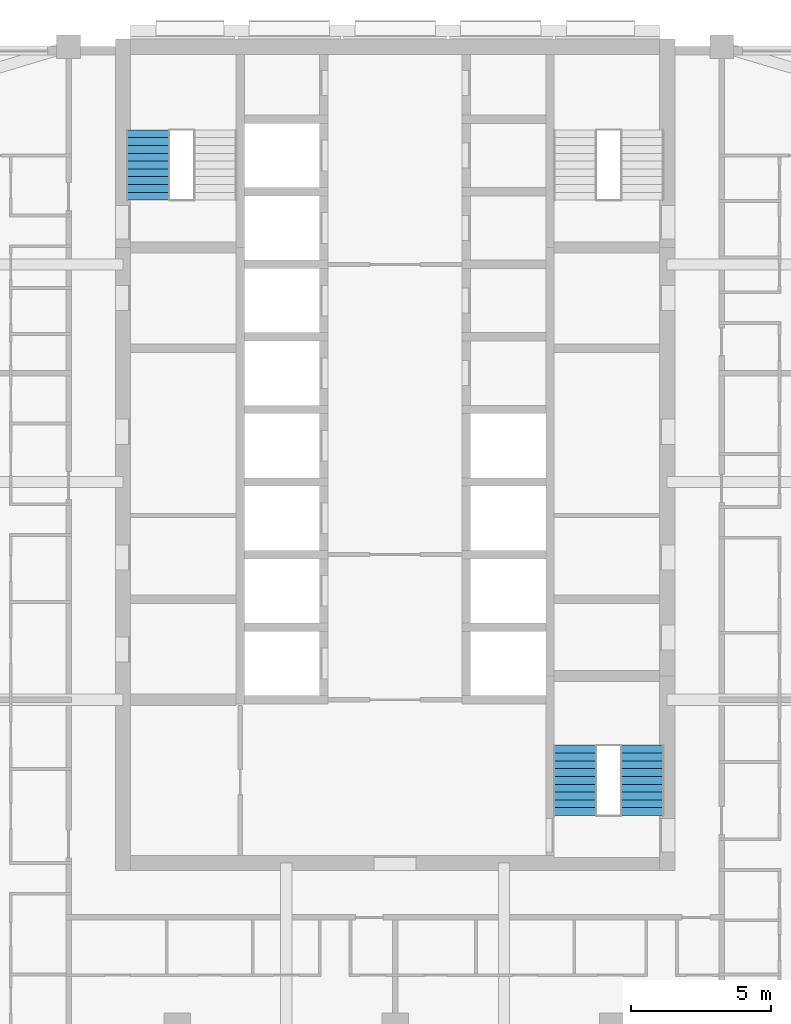
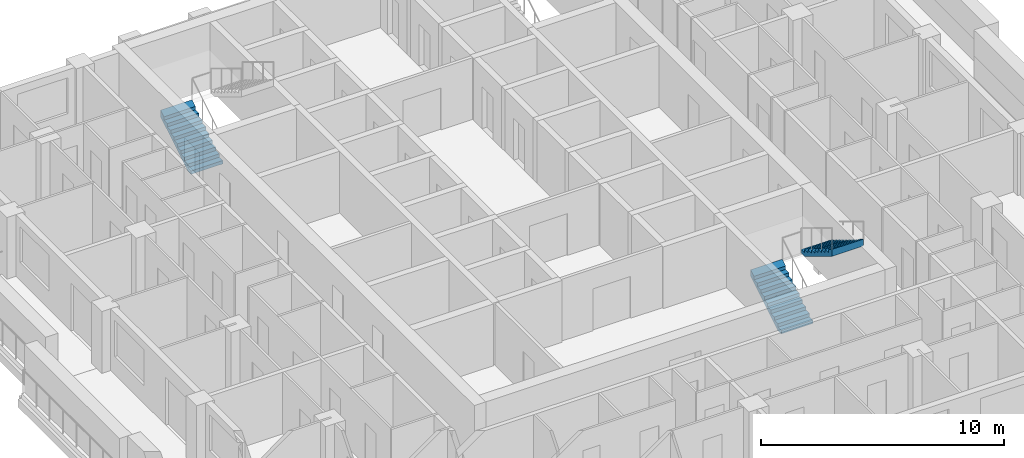
# One storey, part 11 of 14: 3 stair flights, 2 elements without a shape of their own.
"""IFC4 building model written with IfcOpenShell, lengths in metres."""

import ifcopenshell
import ifcopenshell.guid

model = None  # the IFC model being written
_history = None  # IfcOwnerHistory: only IFC2X3 demands one
_inside = {}  # id of a spatial element -> (the spatial element, [elements in it])
_under = {}  # id of a project, library or spatial element -> (it, [spatial elements below it])
_declared = {}  # id of a project -> (the project, [libraries it declares])
_typed = {}  # id of a type object -> (the type object, [elements of that type])
_made_of = {}  # id of a material, layer set ... -> (it, [elements and type objects made of it])


def new_model(schema):
    """Start an empty IFC model of exactly this schema.

    Asked for "IFC4X3", IfcOpenShell would pick the latest addendum, in which some entities
    have other attributes; the version numbers below select the first issue.
    IFC2X3 requires an IfcOwnerHistory on every rooted entity: one is made here for all.
    """
    global model, _history
    if schema == "IFC4X3":
        model = ifcopenshell.file(schema_version=(4, 3, 0, 0))
    else:
        model = ifcopenshell.file(schema=schema)
    _inside.clear()
    _under.clear()
    _declared.clear()
    _typed.clear()
    _made_of.clear()
    _history = None
    if model.schema == "IFC2X3":
        org = make("IfcOrganization", Name="unknown")
        user = make(
            "IfcPersonAndOrganization",
            ThePerson=make("IfcPerson", FamilyName="unknown"),
            TheOrganization=org,
        )
        app = make(
            "IfcApplication",
            ApplicationDeveloper=org,
            Version="unknown",
            ApplicationFullName="unknown",
            ApplicationIdentifier="unknown",
        )
        _history = make(
            "IfcOwnerHistory",
            OwningUser=user,
            OwningApplication=app,
            ChangeAction="ADDED",
            CreationDate=0,
        )
    return model


def make(cls, **values):
    """One entity of the class cls with the attributes given. An attribute that is None is left unset."""
    return model.create_entity(
        cls, **{name: value for name, value in values.items() if value is not None}
    )


def rooted(cls, **values):
    """An entity with a GlobalId (a new one), such as an element, a storey or a relation."""
    return make(cls, GlobalId=ifcopenshell.guid.new(), OwnerHistory=_history, **values)


def si_unit(unit_type, name, prefix=None):
    """IfcSIUnit, for example si_unit("LENGTHUNIT", "METRE", prefix="MILLI")."""
    return make("IfcSIUnit", UnitType=unit_type, Prefix=prefix, Name=name)


def assignment(units):
    """IfcUnitAssignment: the units of a project."""
    return None if units is None else make("IfcUnitAssignment", Units=units)


def point(xyz):
    """IfcCartesianPoint."""
    return None if xyz is None else make("IfcCartesianPoint", Coordinates=xyz)


def direction(xyz):
    """IfcDirection."""
    return None if xyz is None else make("IfcDirection", DirectionRatios=xyz)


def frame(location, z_axis=None, x_axis=None):
    """IfcAxis2Placement3D, a coordinate frame: its origin and axes. An axis left out is left unset."""
    return make(
        "IfcAxis2Placement3D",
        Location=point(location),
        Axis=direction(z_axis),
        RefDirection=direction(x_axis),
    )


def origin():
    """The frame at (0, 0, 0) with its axes left unset."""
    return frame((0.0, 0.0, 0.0))


def place(relative_to, where):
    """IfcLocalPlacement: puts the frame where relative to a parent placement (None: the world)."""
    return make(
        "IfcLocalPlacement", PlacementRelTo=relative_to, RelativePlacement=where
    )


def context(
    kind, dimensions, precision=None, world=None, true_north=None, identifier=None
):
    """IfcGeometricRepresentationContext, for example the 3D "Model" context."""
    return make(
        "IfcGeometricRepresentationContext",
        ContextIdentifier=identifier,
        ContextType=kind,
        CoordinateSpaceDimension=dimensions,
        Precision=precision,
        WorldCoordinateSystem=world,
        TrueNorth=true_north,
    )


def subcontext(parent, identifier, kind, view, scale=None):
    """IfcGeometricRepresentationSubContext, for example "Body" below "Model"."""
    return make(
        "IfcGeometricRepresentationSubContext",
        ContextIdentifier=identifier,
        ContextType=kind,
        ParentContext=parent,
        TargetScale=scale,
        TargetView=view,
    )


def project(units=None, contexts=None):
    """IfcProject with its units and contexts."""
    return rooted(
        "IfcProject",
        Name="project",
        RepresentationContexts=contexts,
        UnitsInContext=assignment(units),
    )


def spatial(cls, under=None, at=None, **own):
    """A site, building, storey or space (cls), placed at a placement, below another one or the project."""
    s = rooted(cls, ObjectPlacement=at, **own)
    if under is not None:
        _under.setdefault(under.id(), (under, []))[1].append(s)
    return s


def point_list(points):
    """IfcCartesianPointList2D or 3D."""
    cls = (
        "IfcCartesianPointList2D" if len(points[0]) == 2 else "IfcCartesianPointList3D"
    )
    return make(cls, CoordList=points)


def triangles(points, corners, closed=None, point_numbers=None):
    """IfcTriangulatedFaceSet: each triangle names its three corners, points numbered from 1."""
    return make(
        "IfcTriangulatedFaceSet",
        Coordinates=point_list(points),
        Closed=closed,
        CoordIndex=corners,
        PnIndex=point_numbers,
    )


def shape(context_of_items, identifier, shape_type, items):
    """IfcShapeRepresentation: the items that make up one representation, for example the "Body"."""
    return make(
        "IfcShapeRepresentation",
        ContextOfItems=context_of_items,
        RepresentationIdentifier=identifier,
        RepresentationType=shape_type,
        Items=items,
    )


def material(Name=None, Category=None):
    """IfcMaterial."""
    return make("IfcMaterial", Name=Name, Category=Category)


def made_of(thing, what):
    """Note that an element or type object is made of a material, layer set ...; save() writes the relation."""
    if what is not None:
        _made_of.setdefault(what.id(), (what, []))[1].append(thing)
    return thing


def type_object(cls, material=None, **own):
    """A type object (cls), such as IfcWallType, which elements share."""
    return made_of(rooted(cls, **own), material)


def element(
    cls,
    number,
    at=None,
    inside=None,
    cuts=None,
    type_object=None,
    material=None,
    context=None,
    identifier="Body",
    shape_type=None,
    held_by="IfcProductDefinitionShape",
    body=None,
    shapes=None,
    **own,
):
    """One element of the class cls, such as IfcWall. Its Tag is "e" and its number.

    at: its placement. inside: the storey or other place that contains it. cuts: it is an
    opening in that element (IfcRelVoidsElement). A single representation is given by context,
    identifier, shape_type and body (its items); several are given by shapes. held_by: the class
    of the entity that holds the representations. save() writes the other relations.
    """
    e = rooted(cls, Tag="e%d" % number, ObjectPlacement=at, **own)
    if body is not None:
        shapes = [shape(context, identifier, shape_type, body)]
    if shapes is not None:
        e.Representation = make(held_by, Representations=shapes)
    if inside is not None:
        _inside.setdefault(inside.id(), (inside, []))[1].append(e)
    if cuts is not None:
        rooted(
            "IfcRelVoidsElement", RelatingBuildingElement=cuts, RelatedOpeningElement=e
        )
    if type_object is not None:
        _typed.setdefault(type_object.id(), (type_object, []))[1].append(e)
    return made_of(e, material)


def aggregate(whole, parts):
    """IfcRelAggregates: a whole, such as a stair, and the parts it consists of."""
    return rooted("IfcRelAggregates", RelatingObject=whole, RelatedObjects=parts)


def save(model, path):
    """Write the relations noted so far, then the file.

    IfcRelAggregates (storeys below a building ...), IfcRelContainedInSpatialStructure (elements
    in a storey), IfcRelDefinesByType, IfcRelAssociatesMaterial and IfcRelDeclares: one each for
    every whole, place, type object, material and project.
    """
    for whole, parts in _under.values():
        aggregate(whole, parts)
    for where, things in _inside.values():
        rooted(
            "IfcRelContainedInSpatialStructure",
            RelatedElements=things,
            RelatingStructure=where,
        )
    for kind, things in _typed.values():
        rooted("IfcRelDefinesByType", RelatedObjects=things, RelatingType=kind)
    for what, things in _made_of.values():
        rooted("IfcRelAssociatesMaterial", RelatedObjects=things, RelatingMaterial=what)
    for by, libraries in _declared.values():
        rooted("IfcRelDeclares", RelatingContext=by, RelatedDefinitions=libraries)
    model.write(path)


model = new_model("IFC4")

# Units and contexts
model_context = context("Model", 3, precision=1e-05, world=origin(), true_north=direction((0.0, 1.0)))
body_context = subcontext(model_context, "Body", "Model", "MODEL_VIEW")
ifc_project = project(units=[si_unit("LENGTHUNIT", "METRE"), si_unit("AREAUNIT", "SQUARE_METRE"), si_unit("VOLUMEUNIT", "CUBIC_METRE"), si_unit("PLANEANGLEUNIT", "RADIAN"), si_unit("MASSUNIT", "GRAM", prefix="KILO")], contexts=[model_context])

# Site, building, storey
site_placement = place(None, origin())
site = spatial("IfcSite", under=ifc_project, at=site_placement, CompositionType="ELEMENT")
building_placement = place(site_placement, origin())
building = spatial("IfcBuilding", under=site, at=building_placement, Name="Ludao Terraces", CompositionType="ELEMENT")
storey_placement = place(building_placement, frame((0.0, 0.0, 113.5)))
storey = spatial("IfcBuildingStorey", under=building, at=storey_placement, Name="L31", CompositionType="ELEMENT", Elevation=113.5)

# Stair, stair flight
ifc_material = material(Name="Concrete C40", Category="concrete")
stair_type = type_object("IfcStairType", Name="INT Stair", PredefinedType="HALF_TURN_STAIR", material=ifc_material)
stair_1_placement = place(storey_placement, origin())
stair_1 = element("IfcStair", 1, at=stair_1_placement, inside=storey, type_object=stair_type, Name="EXIT STAIR 1", PredefinedType="HALF_TURN_STAIR")
stair_flight_type = type_object("IfcStairFlightType", Name="INT Stair flight", PredefinedType="STRAIGHT", material=ifc_material)
stair_flight_1_placement = place(storey_placement, frame((76.14990234375, 79.0, 0.0), z_axis=(0.0, 0.0, 1.0), x_axis=(0.0, 1.0, 0.0)))
stair_flight_1 = element("IfcStairFlight", 2, at=stair_flight_1_placement, type_object=stair_flight_type, Name="ST1 flight 1", NumberOfRisers=10, NumberOfTreads=9, PredefinedType="STRAIGHT", RiserHeight=0.17, TreadLength=0.28, context=body_context, shape_type="Tessellation", body=[
    triangles([(0.0, -0.75, 0.0), (0.0, -0.5, 0.0), (0.0, -0.25, 0.0), (0.0, 0.0, 0.0), (0.0, 0.25, 0.0), (0.0, 0.5, 0.0), (0.0, 0.75, 0.0), (0.0, -0.75, 0.169921875), (0.0, -0.5, 0.169921875), (0.0, -0.25, 0.169921875), (0.0, 0.0, 0.169921875), (0.0, 0.25, 0.169921875), (0.0, 0.5, 0.169921875), (0.0, 0.75, 0.169921875), (0.280029296875, -0.75, 0.169921875), (0.280029296875, -0.5, 0.169921875), (0.280029296875, -0.25, 0.169921875), (0.280029296875, 0.0, 0.169921875), (0.280029296875, 0.25, 0.169921875), (0.280029296875, 0.5, 0.169921875), (0.280029296875, 0.75, 0.169921875), (0.280029296875, -0.75, 0.340087890625), (0.280029296875, -0.5, 0.340087890625), (0.280029296875, -0.25, 0.340087890625), (0.280029296875, 0.0, 0.340087890625), (0.280029296875, 0.25, 0.340087890625), (0.280029296875, 0.5, 0.340087890625), (0.280029296875, 0.75, 0.340087890625), (0.56005859375, -0.75, 0.340087890625), (0.56005859375, -0.5, 0.340087890625), (0.56005859375, -0.25, 0.340087890625), (0.56005859375, 0.0, 0.340087890625), (0.56005859375, 0.25, 0.340087890625), (0.56005859375, 0.5, 0.340087890625), (0.56005859375, 0.75, 0.340087890625), (0.56005859375, -0.75, 0.510009765625), (0.56005859375, -0.5, 0.510009765625), (0.56005859375, -0.25, 0.510009765625), (0.56005859375, 0.0, 0.510009765625), (0.56005859375, 0.25, 0.510009765625), (0.56005859375, 0.5, 0.510009765625), (0.56005859375, 0.75, 0.510009765625), (0.840087890625, -0.75, 0.510009765625), (0.840087890625, -0.5, 0.510009765625), (0.840087890625, -0.25, 0.510009765625), (0.840087890625, 0.0, 0.510009765625), (0.840087890625, 0.25, 0.510009765625), (0.840087890625, 0.5, 0.510009765625), (0.840087890625, 0.75, 0.510009765625), (0.840087890625, -0.75, 0.679931640625), (0.840087890625, -0.5, 0.679931640625), (0.840087890625, -0.25, 0.679931640625), (0.840087890625, 0.0, 0.679931640625), (0.840087890625, 0.25, 0.679931640625), (0.840087890625, 0.5, 0.679931640625), (0.840087890625, 0.75, 0.679931640625), (1.1201171875, -0.75, 0.679931640625), (1.1201171875, -0.5, 0.679931640625), (1.1201171875, -0.25, 0.679931640625), (1.1201171875, 0.0, 0.679931640625), (1.1201171875, 0.25, 0.679931640625), (1.1201171875, 0.5, 0.679931640625), (1.1201171875, 0.75, 0.679931640625), (1.1201171875, -0.75, 0.85009765625), (1.1201171875, -0.5, 0.85009765625), (1.1201171875, -0.25, 0.85009765625), (1.1201171875, 0.0, 0.85009765625), (1.1201171875, 0.25, 0.85009765625), (1.1201171875, 0.5, 0.85009765625), (1.1201171875, 0.75, 0.85009765625), (1.39990234375, -0.75, 0.85009765625), (1.39990234375, -0.5, 0.85009765625), (1.39990234375, -0.25, 0.85009765625), (1.39990234375, 0.0, 0.85009765625), (1.39990234375, 0.25, 0.85009765625), (1.39990234375, 0.5, 0.85009765625), (1.39990234375, 0.75, 0.85009765625), (1.39990234375, -0.75, 1.02001953125), (1.39990234375, -0.5, 1.02001953125), (1.39990234375, -0.25, 1.02001953125), (1.39990234375, 0.0, 1.02001953125), (1.39990234375, 0.25, 1.02001953125), (1.39990234375, 0.5, 1.02001953125), (1.39990234375, 0.75, 1.02001953125), (1.679931640625, -0.75, 1.02001953125), (1.679931640625, -0.5, 1.02001953125), (1.679931640625, -0.25, 1.02001953125), (1.679931640625, 0.0, 1.02001953125), (1.679931640625, 0.25, 1.02001953125), (1.679931640625, 0.5, 1.02001953125), (1.679931640625, 0.75, 1.02001953125), (1.679931640625, -0.75, 1.18994140625), (1.679931640625, -0.5, 1.18994140625), (1.679931640625, -0.25, 1.18994140625), (1.679931640625, 0.0, 1.18994140625), (1.679931640625, 0.25, 1.18994140625), (1.679931640625, 0.5, 1.18994140625), (1.679931640625, 0.75, 1.18994140625), (1.9599609375, -0.75, 1.18994140625), (1.9599609375, -0.5, 1.18994140625), (1.9599609375, -0.25, 1.18994140625), (1.9599609375, 0.0, 1.18994140625), (1.9599609375, 0.25, 1.18994140625), (1.9599609375, 0.5, 1.18994140625), (1.9599609375, 0.75, 1.18994140625), (1.9599609375, -0.75, 1.360107421875), (1.9599609375, -0.5, 1.360107421875), (1.9599609375, -0.25, 1.360107421875), (1.9599609375, 0.0, 1.360107421875), (1.9599609375, 0.25, 1.360107421875), (1.9599609375, 0.5, 1.360107421875), (1.9599609375, 0.75, 1.360107421875), (2.239990234375, -0.75, 1.360107421875), (2.239990234375, -0.5, 1.360107421875), (2.239990234375, -0.25, 1.360107421875), (2.239990234375, 0.0, 1.360107421875), (2.239990234375, 0.25, 1.360107421875), (2.239990234375, 0.5, 1.360107421875), (2.239990234375, 0.75, 1.360107421875), (2.239990234375, -0.75, 1.530029296875), (2.239990234375, -0.5, 1.530029296875), (2.239990234375, -0.25, 1.530029296875), (2.239990234375, 0.0, 1.530029296875), (2.239990234375, 0.25, 1.530029296875), (2.239990234375, 0.5, 1.530029296875), (2.239990234375, 0.75, 1.530029296875), (2.52001953125, -0.75, 1.699951171875), (2.52001953125, -0.5, 1.699951171875), (2.52001953125, -0.25, 1.699951171875), (2.52001953125, 0.0, 1.699951171875), (2.52001953125, 0.25, 1.699951171875), (2.52001953125, 0.5, 1.699951171875), (2.52001953125, 0.75, 1.699951171875), (2.52001953125, -0.75, 1.354736328125), (2.52001953125, -0.5, 1.354736328125), (2.52001953125, -0.25, 1.354736328125), (2.52001953125, 0.0, 1.354736328125), (2.52001953125, 0.25, 1.354736328125), (2.52001953125, 0.5, 1.354736328125), (2.52001953125, 0.75, 1.354736328125), (0.288818359375, -0.75, 0.0), (0.288818359375, -0.5, 0.0), (0.288818359375, -0.25, 0.0), (0.288818359375, 0.0, 0.0), (0.288818359375, 0.25, 0.0), (0.288818359375, 0.5, 0.0), (0.288818359375, 0.75, 0.0)], [[1, 141, 134], [7, 140, 147], [134, 127, 120], [140, 126, 133], [134, 120, 113], [140, 119, 126], [134, 113, 106], [140, 112, 119], [134, 106, 99], [140, 105, 112], [99, 92, 85], [105, 91, 98], [134, 99, 85], [140, 91, 105], [85, 78, 71], [91, 77, 84], [134, 85, 71], [140, 77, 91], [71, 64, 57], [77, 63, 70], [134, 71, 57], [140, 63, 77], [57, 50, 43], [63, 49, 56], [134, 57, 43], [140, 49, 63], [43, 36, 29], [49, 35, 42], [134, 43, 29], [140, 35, 49], [29, 22, 15], [35, 21, 28], [134, 29, 15], [140, 21, 35], [1, 134, 15], [7, 21, 140], [15, 8, 1], [21, 7, 14], [1, 9, 2], [1, 8, 9], [2, 10, 3], [2, 9, 10], [3, 11, 4], [3, 10, 11], [4, 12, 5], [4, 11, 12], [5, 13, 6], [5, 12, 13], [6, 14, 7], [6, 13, 14], [8, 16, 9], [8, 15, 16], [9, 17, 10], [9, 16, 17], [10, 18, 11], [10, 17, 18], [11, 19, 12], [11, 18, 19], [12, 20, 13], [12, 19, 20], [13, 21, 14], [13, 20, 21], [15, 23, 16], [15, 22, 23], [16, 24, 17], [16, 23, 24], [17, 25, 18], [17, 24, 25], [18, 26, 19], [18, 25, 26], [19, 27, 20], [19, 26, 27], [20, 28, 21], [20, 27, 28], [22, 30, 23], [22, 29, 30], [23, 31, 24], [23, 30, 31], [24, 32, 25], [24, 31, 32], [25, 33, 26], [25, 32, 33], [26, 34, 27], [26, 33, 34], [27, 35, 28], [27, 34, 35], [29, 37, 30], [29, 36, 37], [30, 38, 31], [30, 37, 38], [31, 39, 32], [31, 38, 39], [32, 40, 33], [32, 39, 40], [33, 41, 34], [33, 40, 41], [34, 42, 35], [34, 41, 42], [36, 44, 37], [36, 43, 44], [37, 45, 38], [37, 44, 45], [38, 46, 39], [38, 45, 46], [39, 47, 40], [39, 46, 47], [40, 48, 41], [40, 47, 48], [41, 49, 42], [41, 48, 49], [43, 51, 44], [43, 50, 51], [44, 52, 45], [44, 51, 52], [45, 53, 46], [45, 52, 53], [46, 54, 47], [46, 53, 54], [47, 55, 48], [47, 54, 55], [48, 56, 49], [48, 55, 56], [50, 58, 51], [50, 57, 58], [51, 59, 52], [51, 58, 59], [52, 60, 53], [52, 59, 60], [53, 61, 54], [53, 60, 61], [54, 62, 55], [54, 61, 62], [55, 63, 56], [55, 62, 63], [57, 65, 58], [57, 64, 65], [58, 66, 59], [58, 65, 66], [59, 67, 60], [59, 66, 67], [60, 68, 61], [60, 67, 68], [61, 69, 62], [61, 68, 69], [62, 70, 63], [62, 69, 70], [64, 72, 65], [64, 71, 72], [65, 73, 66], [65, 72, 73], [66, 74, 67], [66, 73, 74], [67, 75, 68], [67, 74, 75], [68, 76, 69], [68, 75, 76], [69, 77, 70], [69, 76, 77], [71, 79, 72], [71, 78, 79], [72, 80, 73], [72, 79, 80], [73, 81, 74], [73, 80, 81], [74, 82, 75], [74, 81, 82], [75, 83, 76], [75, 82, 83], [76, 84, 77], [76, 83, 84], [78, 86, 79], [78, 85, 86], [79, 87, 80], [79, 86, 87], [80, 88, 81], [80, 87, 88], [81, 89, 82], [81, 88, 89], [82, 90, 83], [82, 89, 90], [83, 91, 84], [83, 90, 91], [85, 93, 86], [85, 92, 93], [86, 94, 87], [86, 93, 94], [87, 95, 88], [87, 94, 95], [88, 96, 89], [88, 95, 96], [89, 97, 90], [89, 96, 97], [90, 98, 91], [90, 97, 98], [92, 100, 93], [92, 99, 100], [93, 101, 94], [93, 100, 101], [94, 102, 95], [94, 101, 102], [95, 103, 96], [95, 102, 103], [96, 104, 97], [96, 103, 104], [97, 105, 98], [97, 104, 105], [99, 107, 100], [99, 106, 107], [100, 108, 101], [100, 107, 108], [101, 109, 102], [101, 108, 109], [102, 110, 103], [102, 109, 110], [103, 111, 104], [103, 110, 111], [104, 112, 105], [104, 111, 112], [106, 114, 107], [106, 113, 114], [107, 115, 108], [107, 114, 115], [108, 116, 109], [108, 115, 116], [109, 117, 110], [109, 116, 117], [110, 118, 111], [110, 117, 118], [111, 119, 112], [111, 118, 119], [113, 121, 114], [113, 120, 121], [114, 122, 115], [114, 121, 122], [115, 123, 116], [115, 122, 123], [116, 124, 117], [116, 123, 124], [117, 125, 118], [117, 124, 125], [118, 126, 119], [118, 125, 126], [120, 128, 121], [120, 127, 128], [121, 129, 122], [121, 128, 129], [122, 130, 123], [122, 129, 130], [123, 131, 124], [123, 130, 131], [124, 132, 125], [124, 131, 132], [125, 133, 126], [125, 132, 133], [127, 135, 128], [127, 134, 135], [128, 136, 129], [128, 135, 136], [129, 137, 130], [129, 136, 137], [130, 138, 131], [130, 137, 138], [131, 139, 132], [131, 138, 139], [132, 140, 133], [132, 139, 140], [134, 142, 135], [134, 141, 142], [135, 143, 136], [135, 142, 143], [136, 144, 137], [136, 143, 144], [137, 145, 138], [137, 144, 145], [138, 146, 139], [138, 145, 146], [139, 147, 140], [139, 146, 147], [141, 2, 142], [141, 1, 2], [142, 3, 143], [142, 2, 3], [143, 4, 144], [143, 3, 4], [144, 5, 145], [144, 4, 5], [145, 6, 146], [145, 5, 6], [146, 7, 147], [146, 6, 7]], closed=True),
])
aggregate(stair_1, [stair_flight_1])

# Stair, stair flights
stair_2_placement = place(storey_placement, origin())
stair_2 = element("IfcStair", 3, at=stair_2_placement, inside=storey, type_object=stair_type, Name="EXIT STAIR 3", PredefinedType="HALF_TURN_STAIR")
stair_flight_2_placement = place(storey_placement, frame((91.449951171875, 56.949951171875, 0.0), z_axis=(0.0, 0.0, 1.0), x_axis=(0.0, 1.0, 0.0)))
stair_flight_2 = element("IfcStairFlight", 4, at=stair_flight_2_placement, type_object=stair_flight_type, Name="ST3 flight 1", NumberOfRisers=10, NumberOfTreads=9, PredefinedType="STRAIGHT", RiserHeight=0.17, TreadLength=0.28, context=body_context, shape_type="Tessellation", body=[
    triangles([(0.0, -0.75, 0.0), (0.0, -0.5, 0.0), (0.0, -0.25, 0.0), (0.0, 0.0, 0.0), (0.0, 0.25, 0.0), (0.0, 0.5, 0.0), (0.0, 0.75, 0.0), (0.0, -0.75, 0.169921875), (0.0, -0.5, 0.169921875), (0.0, -0.25, 0.169921875), (0.0, 0.0, 0.169921875), (0.0, 0.25, 0.169921875), (0.0, 0.5, 0.169921875), (0.0, 0.75, 0.169921875), (0.280029296875, -0.75, 0.169921875), (0.280029296875, -0.5, 0.169921875), (0.280029296875, -0.25, 0.169921875), (0.280029296875, 0.0, 0.169921875), (0.280029296875, 0.25, 0.169921875), (0.280029296875, 0.5, 0.169921875), (0.280029296875, 0.75, 0.169921875), (0.280029296875, -0.75, 0.340087890625), (0.280029296875, -0.5, 0.340087890625), (0.280029296875, -0.25, 0.340087890625), (0.280029296875, 0.0, 0.340087890625), (0.280029296875, 0.25, 0.340087890625), (0.280029296875, 0.5, 0.340087890625), (0.280029296875, 0.75, 0.340087890625), (0.56005859375, -0.75, 0.340087890625), (0.56005859375, -0.5, 0.340087890625), (0.56005859375, -0.25, 0.340087890625), (0.56005859375, 0.0, 0.340087890625), (0.56005859375, 0.25, 0.340087890625), (0.56005859375, 0.5, 0.340087890625), (0.56005859375, 0.75, 0.340087890625), (0.56005859375, -0.75, 0.510009765625), (0.56005859375, -0.5, 0.510009765625), (0.56005859375, -0.25, 0.510009765625), (0.56005859375, 0.0, 0.510009765625), (0.56005859375, 0.25, 0.510009765625), (0.56005859375, 0.5, 0.510009765625), (0.56005859375, 0.75, 0.510009765625), (0.840087890625, -0.75, 0.510009765625), (0.840087890625, -0.5, 0.510009765625), (0.840087890625, -0.25, 0.510009765625), (0.840087890625, 0.0, 0.510009765625), (0.840087890625, 0.25, 0.510009765625), (0.840087890625, 0.5, 0.510009765625), (0.840087890625, 0.75, 0.510009765625), (0.840087890625, -0.75, 0.679931640625), (0.840087890625, -0.5, 0.679931640625), (0.840087890625, -0.25, 0.679931640625), (0.840087890625, 0.0, 0.679931640625), (0.840087890625, 0.25, 0.679931640625), (0.840087890625, 0.5, 0.679931640625), (0.840087890625, 0.75, 0.679931640625), (1.1201171875, -0.75, 0.679931640625), (1.1201171875, -0.5, 0.679931640625), (1.1201171875, -0.25, 0.679931640625), (1.1201171875, 0.0, 0.679931640625), (1.1201171875, 0.25, 0.679931640625), (1.1201171875, 0.5, 0.679931640625), (1.1201171875, 0.75, 0.679931640625), (1.1201171875, -0.75, 0.85009765625), (1.1201171875, -0.5, 0.85009765625), (1.1201171875, -0.25, 0.85009765625), (1.1201171875, 0.0, 0.85009765625), (1.1201171875, 0.25, 0.85009765625), (1.1201171875, 0.5, 0.85009765625), (1.1201171875, 0.75, 0.85009765625), (1.39990234375, -0.75, 0.85009765625), (1.39990234375, -0.5, 0.85009765625), (1.39990234375, -0.25, 0.85009765625), (1.39990234375, 0.0, 0.85009765625), (1.39990234375, 0.25, 0.85009765625), (1.39990234375, 0.5, 0.85009765625), (1.39990234375, 0.75, 0.85009765625), (1.39990234375, -0.75, 1.02001953125), (1.39990234375, -0.5, 1.02001953125), (1.39990234375, -0.25, 1.02001953125), (1.39990234375, 0.0, 1.02001953125), (1.39990234375, 0.25, 1.02001953125), (1.39990234375, 0.5, 1.02001953125), (1.39990234375, 0.75, 1.02001953125), (1.679931640625, -0.75, 1.02001953125), (1.679931640625, -0.5, 1.02001953125), (1.679931640625, -0.25, 1.02001953125), (1.679931640625, 0.0, 1.02001953125), (1.679931640625, 0.25, 1.02001953125), (1.679931640625, 0.5, 1.02001953125), (1.679931640625, 0.75, 1.02001953125), (1.679931640625, -0.75, 1.18994140625), (1.679931640625, -0.5, 1.18994140625), (1.679931640625, -0.25, 1.18994140625), (1.679931640625, 0.0, 1.18994140625), (1.679931640625, 0.25, 1.18994140625), (1.679931640625, 0.5, 1.18994140625), (1.679931640625, 0.75, 1.18994140625), (1.9599609375, -0.75, 1.18994140625), (1.9599609375, -0.5, 1.18994140625), (1.9599609375, -0.25, 1.18994140625), (1.9599609375, 0.0, 1.18994140625), (1.9599609375, 0.25, 1.18994140625), (1.9599609375, 0.5, 1.18994140625), (1.9599609375, 0.75, 1.18994140625), (1.9599609375, -0.75, 1.360107421875), (1.9599609375, -0.5, 1.360107421875), (1.9599609375, -0.25, 1.360107421875), (1.9599609375, 0.0, 1.360107421875), (1.9599609375, 0.25, 1.360107421875), (1.9599609375, 0.5, 1.360107421875), (1.9599609375, 0.75, 1.360107421875), (2.239990234375, -0.75, 1.360107421875), (2.239990234375, -0.5, 1.360107421875), (2.239990234375, -0.25, 1.360107421875), (2.239990234375, 0.0, 1.360107421875), (2.239990234375, 0.25, 1.360107421875), (2.239990234375, 0.5, 1.360107421875), (2.239990234375, 0.75, 1.360107421875), (2.239990234375, -0.75, 1.530029296875), (2.239990234375, -0.5, 1.530029296875), (2.239990234375, -0.25, 1.530029296875), (2.239990234375, 0.0, 1.530029296875), (2.239990234375, 0.25, 1.530029296875), (2.239990234375, 0.5, 1.530029296875), (2.239990234375, 0.75, 1.530029296875), (2.52001953125, -0.75, 1.699951171875), (2.52001953125, -0.5, 1.699951171875), (2.52001953125, -0.25, 1.699951171875), (2.52001953125, 0.0, 1.699951171875), (2.52001953125, 0.25, 1.699951171875), (2.52001953125, 0.5, 1.699951171875), (2.52001953125, 0.75, 1.699951171875), (2.52001953125, -0.75, 1.354736328125), (2.52001953125, -0.5, 1.354736328125), (2.52001953125, -0.25, 1.354736328125), (2.52001953125, 0.0, 1.354736328125), (2.52001953125, 0.25, 1.354736328125), (2.52001953125, 0.5, 1.354736328125), (2.52001953125, 0.75, 1.354736328125), (0.288818359375, -0.75, 0.0), (0.288818359375, -0.5, 0.0), (0.288818359375, -0.25, 0.0), (0.288818359375, 0.0, 0.0), (0.288818359375, 0.25, 0.0), (0.288818359375, 0.5, 0.0), (0.288818359375, 0.75, 0.0)], [[1, 141, 134], [7, 140, 147], [134, 127, 120], [140, 126, 133], [134, 120, 113], [140, 119, 126], [134, 113, 106], [140, 112, 119], [134, 106, 99], [140, 105, 112], [99, 92, 85], [105, 91, 98], [134, 99, 85], [140, 91, 105], [85, 78, 71], [91, 77, 84], [134, 85, 71], [140, 77, 91], [71, 64, 57], [77, 63, 70], [134, 71, 57], [140, 63, 77], [57, 50, 43], [63, 49, 56], [134, 57, 43], [140, 49, 63], [43, 36, 29], [49, 35, 42], [134, 43, 29], [140, 35, 49], [29, 22, 15], [35, 21, 28], [134, 29, 15], [140, 21, 35], [1, 134, 15], [7, 21, 140], [15, 8, 1], [21, 7, 14], [1, 9, 2], [1, 8, 9], [2, 10, 3], [2, 9, 10], [3, 11, 4], [3, 10, 11], [4, 12, 5], [4, 11, 12], [5, 13, 6], [5, 12, 13], [6, 14, 7], [6, 13, 14], [8, 16, 9], [8, 15, 16], [9, 17, 10], [9, 16, 17], [10, 18, 11], [10, 17, 18], [11, 19, 12], [11, 18, 19], [12, 20, 13], [12, 19, 20], [13, 21, 14], [13, 20, 21], [15, 23, 16], [15, 22, 23], [16, 24, 17], [16, 23, 24], [17, 25, 18], [17, 24, 25], [18, 26, 19], [18, 25, 26], [19, 27, 20], [19, 26, 27], [20, 28, 21], [20, 27, 28], [22, 30, 23], [22, 29, 30], [23, 31, 24], [23, 30, 31], [24, 32, 25], [24, 31, 32], [25, 33, 26], [25, 32, 33], [26, 34, 27], [26, 33, 34], [27, 35, 28], [27, 34, 35], [29, 37, 30], [29, 36, 37], [30, 38, 31], [30, 37, 38], [31, 39, 32], [31, 38, 39], [32, 40, 33], [32, 39, 40], [33, 41, 34], [33, 40, 41], [34, 42, 35], [34, 41, 42], [36, 44, 37], [36, 43, 44], [37, 45, 38], [37, 44, 45], [38, 46, 39], [38, 45, 46], [39, 47, 40], [39, 46, 47], [40, 48, 41], [40, 47, 48], [41, 49, 42], [41, 48, 49], [43, 51, 44], [43, 50, 51], [44, 52, 45], [44, 51, 52], [45, 53, 46], [45, 52, 53], [46, 54, 47], [46, 53, 54], [47, 55, 48], [47, 54, 55], [48, 56, 49], [48, 55, 56], [50, 58, 51], [50, 57, 58], [51, 59, 52], [51, 58, 59], [52, 60, 53], [52, 59, 60], [53, 61, 54], [53, 60, 61], [54, 62, 55], [54, 61, 62], [55, 63, 56], [55, 62, 63], [57, 65, 58], [57, 64, 65], [58, 66, 59], [58, 65, 66], [59, 67, 60], [59, 66, 67], [60, 68, 61], [60, 67, 68], [61, 69, 62], [61, 68, 69], [62, 70, 63], [62, 69, 70], [64, 72, 65], [64, 71, 72], [65, 73, 66], [65, 72, 73], [66, 74, 67], [66, 73, 74], [67, 75, 68], [67, 74, 75], [68, 76, 69], [68, 75, 76], [69, 77, 70], [69, 76, 77], [71, 79, 72], [71, 78, 79], [72, 80, 73], [72, 79, 80], [73, 81, 74], [73, 80, 81], [74, 82, 75], [74, 81, 82], [75, 83, 76], [75, 82, 83], [76, 84, 77], [76, 83, 84], [78, 86, 79], [78, 85, 86], [79, 87, 80], [79, 86, 87], [80, 88, 81], [80, 87, 88], [81, 89, 82], [81, 88, 89], [82, 90, 83], [82, 89, 90], [83, 91, 84], [83, 90, 91], [85, 93, 86], [85, 92, 93], [86, 94, 87], [86, 93, 94], [87, 95, 88], [87, 94, 95], [88, 96, 89], [88, 95, 96], [89, 97, 90], [89, 96, 97], [90, 98, 91], [90, 97, 98], [92, 100, 93], [92, 99, 100], [93, 101, 94], [93, 100, 101], [94, 102, 95], [94, 101, 102], [95, 103, 96], [95, 102, 103], [96, 104, 97], [96, 103, 104], [97, 105, 98], [97, 104, 105], [99, 107, 100], [99, 106, 107], [100, 108, 101], [100, 107, 108], [101, 109, 102], [101, 108, 109], [102, 110, 103], [102, 109, 110], [103, 111, 104], [103, 110, 111], [104, 112, 105], [104, 111, 112], [106, 114, 107], [106, 113, 114], [107, 115, 108], [107, 114, 115], [108, 116, 109], [108, 115, 116], [109, 117, 110], [109, 116, 117], [110, 118, 111], [110, 117, 118], [111, 119, 112], [111, 118, 119], [113, 121, 114], [113, 120, 121], [114, 122, 115], [114, 121, 122], [115, 123, 116], [115, 122, 123], [116, 124, 117], [116, 123, 124], [117, 125, 118], [117, 124, 125], [118, 126, 119], [118, 125, 126], [120, 128, 121], [120, 127, 128], [121, 129, 122], [121, 128, 129], [122, 130, 123], [122, 129, 130], [123, 131, 124], [123, 130, 131], [124, 132, 125], [124, 131, 132], [125, 133, 126], [125, 132, 133], [127, 135, 128], [127, 134, 135], [128, 136, 129], [128, 135, 136], [129, 137, 130], [129, 136, 137], [130, 138, 131], [130, 137, 138], [131, 139, 132], [131, 138, 139], [132, 140, 133], [132, 139, 140], [134, 142, 135], [134, 141, 142], [135, 143, 136], [135, 142, 143], [136, 144, 137], [136, 143, 144], [137, 145, 138], [137, 144, 145], [138, 146, 139], [138, 145, 146], [139, 147, 140], [139, 146, 147], [141, 2, 142], [141, 1, 2], [142, 3, 143], [142, 2, 3], [143, 4, 144], [143, 3, 4], [144, 5, 145], [144, 4, 5], [145, 6, 146], [145, 5, 6], [146, 7, 147], [146, 6, 7]], closed=True),
])
stair_flight_3_placement = place(storey_placement, frame((93.85009765625, 59.469970703125, 1.699951171875), z_axis=(0.0, 0.0, 1.0), x_axis=(0.0, -1.0, 0.0)))
stair_flight_3 = element("IfcStairFlight", 5, at=stair_flight_3_placement, type_object=stair_flight_type, Name="ST3 flight 2", NumberOfRisers=10, NumberOfTreads=9, PredefinedType="STRAIGHT", RiserHeight=0.17, TreadLength=0.28, context=body_context, shape_type="Tessellation", body=[
    triangles([(0.0, -0.75, 0.0), (0.0, -0.5, 0.0), (0.0, -0.25, 0.0), (0.0, 0.0, 0.0), (0.0, 0.25, 0.0), (0.0, 0.5, 0.0), (0.0, 0.75, 0.0), (0.0, -0.75, 0.169921875), (0.0, -0.5, 0.169921875), (0.0, -0.25, 0.169921875), (0.0, 0.0, 0.169921875), (0.0, 0.25, 0.169921875), (0.0, 0.5, 0.169921875), (0.0, 0.75, 0.169921875), (0.280029296875, -0.75, 0.169921875), (0.280029296875, -0.5, 0.169921875), (0.280029296875, -0.25, 0.169921875), (0.280029296875, 0.0, 0.169921875), (0.280029296875, 0.25, 0.169921875), (0.280029296875, 0.5, 0.169921875), (0.280029296875, 0.75, 0.169921875), (0.280029296875, -0.75, 0.340087890625), (0.280029296875, -0.5, 0.340087890625), (0.280029296875, -0.25, 0.340087890625), (0.280029296875, 0.0, 0.340087890625), (0.280029296875, 0.25, 0.340087890625), (0.280029296875, 0.5, 0.340087890625), (0.280029296875, 0.75, 0.340087890625), (0.56005859375, -0.75, 0.340087890625), (0.56005859375, -0.5, 0.340087890625), (0.56005859375, -0.25, 0.340087890625), (0.56005859375, 0.0, 0.340087890625), (0.56005859375, 0.25, 0.340087890625), (0.56005859375, 0.5, 0.340087890625), (0.56005859375, 0.75, 0.340087890625), (0.56005859375, -0.75, 0.510009765625), (0.56005859375, -0.5, 0.510009765625), (0.56005859375, -0.25, 0.510009765625), (0.56005859375, 0.0, 0.510009765625), (0.56005859375, 0.25, 0.510009765625), (0.56005859375, 0.5, 0.510009765625), (0.56005859375, 0.75, 0.510009765625), (0.840087890625, -0.75, 0.510009765625), (0.840087890625, -0.5, 0.510009765625), (0.840087890625, -0.25, 0.510009765625), (0.840087890625, 0.0, 0.510009765625), (0.840087890625, 0.25, 0.510009765625), (0.840087890625, 0.5, 0.510009765625), (0.840087890625, 0.75, 0.510009765625), (0.840087890625, -0.75, 0.679931640625), (0.840087890625, -0.5, 0.679931640625), (0.840087890625, -0.25, 0.679931640625), (0.840087890625, 0.0, 0.679931640625), (0.840087890625, 0.25, 0.679931640625), (0.840087890625, 0.5, 0.679931640625), (0.840087890625, 0.75, 0.679931640625), (1.1201171875, -0.75, 0.679931640625), (1.1201171875, -0.5, 0.679931640625), (1.1201171875, -0.25, 0.679931640625), (1.1201171875, 0.0, 0.679931640625), (1.1201171875, 0.25, 0.679931640625), (1.1201171875, 0.5, 0.679931640625), (1.1201171875, 0.75, 0.679931640625), (1.1201171875, -0.75, 0.85009765625), (1.1201171875, -0.5, 0.85009765625), (1.1201171875, -0.25, 0.85009765625), (1.1201171875, 0.0, 0.85009765625), (1.1201171875, 0.25, 0.85009765625), (1.1201171875, 0.5, 0.85009765625), (1.1201171875, 0.75, 0.85009765625), (1.39990234375, -0.75, 0.85009765625), (1.39990234375, -0.5, 0.85009765625), (1.39990234375, -0.25, 0.85009765625), (1.39990234375, 0.0, 0.85009765625), (1.39990234375, 0.25, 0.85009765625), (1.39990234375, 0.5, 0.85009765625), (1.39990234375, 0.75, 0.85009765625), (1.39990234375, -0.75, 1.02001953125), (1.39990234375, -0.5, 1.02001953125), (1.39990234375, -0.25, 1.02001953125), (1.39990234375, 0.0, 1.02001953125), (1.39990234375, 0.25, 1.02001953125), (1.39990234375, 0.5, 1.02001953125), (1.39990234375, 0.75, 1.02001953125), (1.679931640625, -0.75, 1.02001953125), (1.679931640625, -0.5, 1.02001953125), (1.679931640625, -0.25, 1.02001953125), (1.679931640625, 0.0, 1.02001953125), (1.679931640625, 0.25, 1.02001953125), (1.679931640625, 0.5, 1.02001953125), (1.679931640625, 0.75, 1.02001953125), (1.679931640625, -0.75, 1.18994140625), (1.679931640625, -0.5, 1.18994140625), (1.679931640625, -0.25, 1.18994140625), (1.679931640625, 0.0, 1.18994140625), (1.679931640625, 0.25, 1.18994140625), (1.679931640625, 0.5, 1.18994140625), (1.679931640625, 0.75, 1.18994140625), (1.9599609375, -0.75, 1.18994140625), (1.9599609375, -0.5, 1.18994140625), (1.9599609375, -0.25, 1.18994140625), (1.9599609375, 0.0, 1.18994140625), (1.9599609375, 0.25, 1.18994140625), (1.9599609375, 0.5, 1.18994140625), (1.9599609375, 0.75, 1.18994140625), (1.9599609375, -0.75, 1.360107421875), (1.9599609375, -0.5, 1.360107421875), (1.9599609375, -0.25, 1.360107421875), (1.9599609375, 0.0, 1.360107421875), (1.9599609375, 0.25, 1.360107421875), (1.9599609375, 0.5, 1.360107421875), (1.9599609375, 0.75, 1.360107421875), (2.239990234375, -0.75, 1.360107421875), (2.239990234375, -0.5, 1.360107421875), (2.239990234375, -0.25, 1.360107421875), (2.239990234375, 0.0, 1.360107421875), (2.239990234375, 0.25, 1.360107421875), (2.239990234375, 0.5, 1.360107421875), (2.239990234375, 0.75, 1.360107421875), (2.239990234375, -0.75, 1.530029296875), (2.239990234375, -0.5, 1.530029296875), (2.239990234375, -0.25, 1.530029296875), (2.239990234375, 0.0, 1.530029296875), (2.239990234375, 0.25, 1.530029296875), (2.239990234375, 0.5, 1.530029296875), (2.239990234375, 0.75, 1.530029296875), (2.52001953125, -0.75, 1.699951171875), (2.52001953125, -0.5, 1.699951171875), (2.52001953125, -0.25, 1.699951171875), (2.52001953125, 0.0, 1.699951171875), (2.52001953125, 0.25, 1.699951171875), (2.52001953125, 0.5, 1.699951171875), (2.52001953125, 0.75, 1.699951171875), (2.52001953125, -0.75, 1.354736328125), (2.52001953125, -0.5, 1.354736328125), (2.52001953125, -0.25, 1.354736328125), (2.52001953125, 0.0, 1.354736328125), (2.52001953125, 0.25, 1.354736328125), (2.52001953125, 0.5, 1.354736328125), (2.52001953125, 0.75, 1.354736328125), (0.288818359375, -0.75, 0.0), (0.288818359375, -0.5, 0.0), (0.288818359375, -0.25, 0.0), (0.288818359375, 0.0, 0.0), (0.288818359375, 0.25, 0.0), (0.288818359375, 0.5, 0.0), (0.288818359375, 0.75, 0.0)], [[1, 141, 134], [7, 140, 147], [134, 127, 120], [140, 126, 133], [134, 120, 113], [140, 119, 126], [134, 113, 106], [140, 112, 119], [134, 106, 99], [140, 105, 112], [99, 92, 85], [105, 91, 98], [134, 99, 85], [140, 91, 105], [85, 78, 71], [91, 77, 84], [134, 85, 71], [140, 77, 91], [71, 64, 57], [77, 63, 70], [134, 71, 57], [140, 63, 77], [57, 50, 43], [63, 49, 56], [134, 57, 43], [140, 49, 63], [43, 36, 29], [49, 35, 42], [134, 43, 29], [140, 35, 49], [29, 22, 15], [35, 21, 28], [134, 29, 15], [140, 21, 35], [1, 134, 15], [7, 21, 140], [15, 8, 1], [21, 7, 14], [1, 9, 2], [1, 8, 9], [2, 10, 3], [2, 9, 10], [3, 11, 4], [3, 10, 11], [4, 12, 5], [4, 11, 12], [5, 13, 6], [5, 12, 13], [6, 14, 7], [6, 13, 14], [8, 16, 9], [8, 15, 16], [9, 17, 10], [9, 16, 17], [10, 18, 11], [10, 17, 18], [11, 19, 12], [11, 18, 19], [12, 20, 13], [12, 19, 20], [13, 21, 14], [13, 20, 21], [15, 23, 16], [15, 22, 23], [16, 24, 17], [16, 23, 24], [17, 25, 18], [17, 24, 25], [18, 26, 19], [18, 25, 26], [19, 27, 20], [19, 26, 27], [20, 28, 21], [20, 27, 28], [22, 30, 23], [22, 29, 30], [23, 31, 24], [23, 30, 31], [24, 32, 25], [24, 31, 32], [25, 33, 26], [25, 32, 33], [26, 34, 27], [26, 33, 34], [27, 35, 28], [27, 34, 35], [29, 37, 30], [29, 36, 37], [30, 38, 31], [30, 37, 38], [31, 39, 32], [31, 38, 39], [32, 40, 33], [32, 39, 40], [33, 41, 34], [33, 40, 41], [34, 42, 35], [34, 41, 42], [36, 44, 37], [36, 43, 44], [37, 45, 38], [37, 44, 45], [38, 46, 39], [38, 45, 46], [39, 47, 40], [39, 46, 47], [40, 48, 41], [40, 47, 48], [41, 49, 42], [41, 48, 49], [43, 51, 44], [43, 50, 51], [44, 52, 45], [44, 51, 52], [45, 53, 46], [45, 52, 53], [46, 54, 47], [46, 53, 54], [47, 55, 48], [47, 54, 55], [48, 56, 49], [48, 55, 56], [50, 58, 51], [50, 57, 58], [51, 59, 52], [51, 58, 59], [52, 60, 53], [52, 59, 60], [53, 61, 54], [53, 60, 61], [54, 62, 55], [54, 61, 62], [55, 63, 56], [55, 62, 63], [57, 65, 58], [57, 64, 65], [58, 66, 59], [58, 65, 66], [59, 67, 60], [59, 66, 67], [60, 68, 61], [60, 67, 68], [61, 69, 62], [61, 68, 69], [62, 70, 63], [62, 69, 70], [64, 72, 65], [64, 71, 72], [65, 73, 66], [65, 72, 73], [66, 74, 67], [66, 73, 74], [67, 75, 68], [67, 74, 75], [68, 76, 69], [68, 75, 76], [69, 77, 70], [69, 76, 77], [71, 79, 72], [71, 78, 79], [72, 80, 73], [72, 79, 80], [73, 81, 74], [73, 80, 81], [74, 82, 75], [74, 81, 82], [75, 83, 76], [75, 82, 83], [76, 84, 77], [76, 83, 84], [78, 86, 79], [78, 85, 86], [79, 87, 80], [79, 86, 87], [80, 88, 81], [80, 87, 88], [81, 89, 82], [81, 88, 89], [82, 90, 83], [82, 89, 90], [83, 91, 84], [83, 90, 91], [85, 93, 86], [85, 92, 93], [86, 94, 87], [86, 93, 94], [87, 95, 88], [87, 94, 95], [88, 96, 89], [88, 95, 96], [89, 97, 90], [89, 96, 97], [90, 98, 91], [90, 97, 98], [92, 100, 93], [92, 99, 100], [93, 101, 94], [93, 100, 101], [94, 102, 95], [94, 101, 102], [95, 103, 96], [95, 102, 103], [96, 104, 97], [96, 103, 104], [97, 105, 98], [97, 104, 105], [99, 107, 100], [99, 106, 107], [100, 108, 101], [100, 107, 108], [101, 109, 102], [101, 108, 109], [102, 110, 103], [102, 109, 110], [103, 111, 104], [103, 110, 111], [104, 112, 105], [104, 111, 112], [106, 114, 107], [106, 113, 114], [107, 115, 108], [107, 114, 115], [108, 116, 109], [108, 115, 116], [109, 117, 110], [109, 116, 117], [110, 118, 111], [110, 117, 118], [111, 119, 112], [111, 118, 119], [113, 121, 114], [113, 120, 121], [114, 122, 115], [114, 121, 122], [115, 123, 116], [115, 122, 123], [116, 124, 117], [116, 123, 124], [117, 125, 118], [117, 124, 125], [118, 126, 119], [118, 125, 126], [120, 128, 121], [120, 127, 128], [121, 129, 122], [121, 128, 129], [122, 130, 123], [122, 129, 130], [123, 131, 124], [123, 130, 131], [124, 132, 125], [124, 131, 132], [125, 133, 126], [125, 132, 133], [127, 135, 128], [127, 134, 135], [128, 136, 129], [128, 135, 136], [129, 137, 130], [129, 136, 137], [130, 138, 131], [130, 137, 138], [131, 139, 132], [131, 138, 139], [132, 140, 133], [132, 139, 140], [134, 142, 135], [134, 141, 142], [135, 143, 136], [135, 142, 143], [136, 144, 137], [136, 143, 144], [137, 145, 138], [137, 144, 145], [138, 146, 139], [138, 145, 146], [139, 147, 140], [139, 146, 147], [141, 2, 142], [141, 1, 2], [142, 3, 143], [142, 2, 3], [143, 4, 144], [143, 3, 4], [144, 5, 145], [144, 4, 5], [145, 6, 146], [145, 5, 6], [146, 7, 147], [146, 6, 7]], closed=True),
])
aggregate(stair_2, [stair_flight_2, stair_flight_3])

save(model, "model.ifc")
